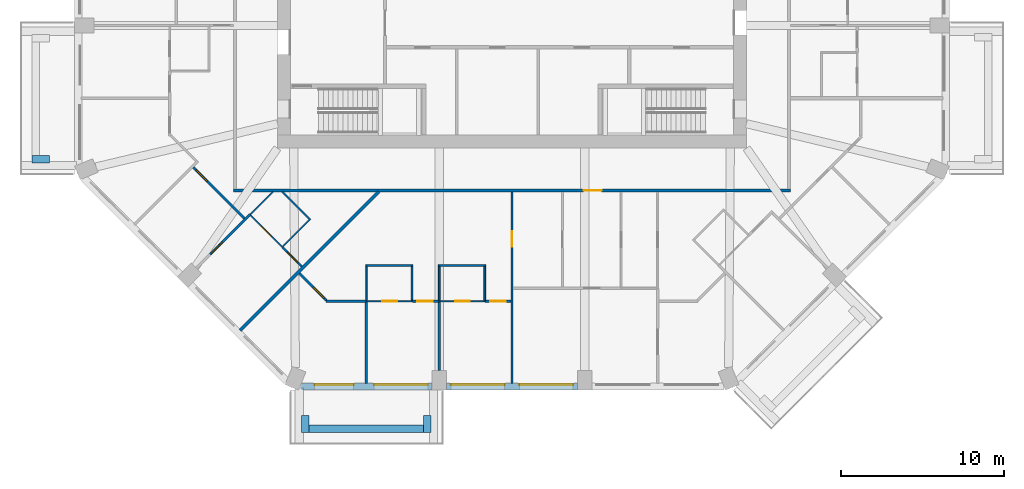
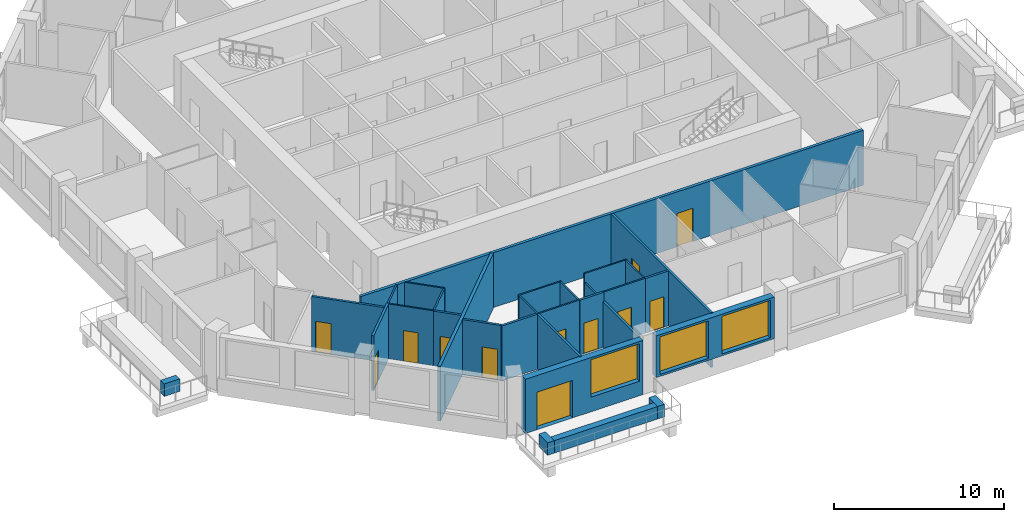
# One storey, part 3 of 12: 30 walls, 12 doors, 3 windows, 15 openings.
"""IFC4 building model written with IfcOpenShell, lengths in metres."""

from ifc_helpers import new_model, si_unit, direction, frame, frame_2d, origin, place, context, subcontext, project, spatial, rectangle, extrude, material, layer, layer_set, type_object, element, fill, save


model = new_model("IFC4")

# Units and contexts
model_context = context("Model", 3, precision=1e-05, world=origin(), true_north=direction((0.0, 1.0)))
body_context = subcontext(model_context, "Body", "Model", "MODEL_VIEW")
ifc_project = project(units=[si_unit("LENGTHUNIT", "METRE"), si_unit("AREAUNIT", "SQUARE_METRE"), si_unit("VOLUMEUNIT", "CUBIC_METRE"), si_unit("PLANEANGLEUNIT", "RADIAN"), si_unit("MASSUNIT", "GRAM", prefix="KILO")], contexts=[model_context])

# Site, building, storey
site_placement = place(None, origin())
site = spatial("IfcSite", under=ifc_project, at=site_placement, CompositionType="ELEMENT")
building_placement = place(site_placement, origin())
building = spatial("IfcBuilding", under=site, at=building_placement, Name="Msitu Wima Residences", CompositionType="ELEMENT")
storey_placement = place(building_placement, frame((0.0, 0.0, 127.5)))
storey = spatial("IfcBuildingStorey", under=building, at=storey_placement, Name="L29", CompositionType="ELEMENT", Elevation=127.5)

# Walls
ifc_material_1 = material(Name="Facing brick")
ifc_layer_1 = layer(ifc_material_1, 0.06494140625, Name="Facing brick")
ifc_material_2 = material(Name="Concrete C40/50", Category="concrete")
ifc_layer_2 = layer(ifc_material_2, 0.156005859375, Name="Concrete C40/50")
ifc_material_3 = material(Name="Waterproofing membrane")
ifc_layer_3 = layer(ifc_material_3, 0.00390625, Name="Waterproofing membrane")
ifc_material_4 = material(Name="Planting soil and planting")
ifc_layer_4 = layer(ifc_material_4, 0.22509765625, Name="Planting soil and planting")
ifc_layer_set_1 = layer_set([ifc_layer_1, ifc_layer_2, ifc_layer_3, ifc_layer_4], Name="Concrete C40/50")
wall_type_1 = type_object("IfcWallType", Name="Balcony planter PLANTER PL450", PredefinedType="USERDEFINED", material=ifc_layer_set_1)
wall_1_placement = place(storey_placement, frame((-28.39990234375, -12.680908203125, 0.0), z_axis=(0.0, 0.0, 1.0), x_axis=(-1.0, 0.0, 0.0)))
element("IfcWall", 1, at=wall_1_placement, inside=storey, type_object=wall_type_1, Name="Balcony planter W2 L29", ObjectType="PLANTER", PredefinedType="USERDEFINED", context=body_context, shape_type="SweptSolid", body=[
    extrude(rectangle(XDim=1.050048828125, YDim=0.449951171875, at=frame_2d((0.52490234375, 0.0))), origin(), (0.0, 0.0, 1.0), 0.89990234375),
])
wall_2_placement = place(storey_placement, frame((-12.455810546875, -29.22509765625, 0.0), z_axis=(0.0, 0.0, 1.0), x_axis=(1.0, 0.0, 0.0)))
element("IfcWall", 2, at=wall_2_placement, inside=storey, type_object=wall_type_1, Name="Balcony planter S0 L29", ObjectType="PLANTER", PredefinedType="USERDEFINED", context=body_context, shape_type="SweptSolid", body=[
    extrude(rectangle(XDim=7.037109375, YDim=0.449951171875, at=frame_2d((3.5185546875, 0.0))), origin(), (0.0, 0.0, 1.0), 0.89990234375),
])
for number, where, z_axis, x_axis, name in (
    (3, (-12.680908203125, -28.39990234375, 0.0), (0.0, 0.0, 1.0), (0.0, -1.0, 0.0), "Balcony planter S0 L29"),
    (4, (-5.193603515625, -28.39990234375, 0.0), (0.0, 0.0, 1.0), (0.0, -1.0, 0.0), "Balcony planter S0 L29"),
):
    element("IfcWall", number, at=place(storey_placement, frame(where, z_axis=z_axis, x_axis=x_axis)), inside=storey, type_object=wall_type_1, Name=name, ObjectType="PLANTER", PredefinedType="USERDEFINED", context=body_context, shape_type="SweptSolid", body=[
        extrude(rectangle(XDim=1.050048828125, YDim=0.449951171875, at=frame_2d((0.52490234375, 0.0))), origin(), (0.0, 0.0, 1.0), 0.89990234375),
    ])

# Wall, openings, door, window
ifc_material_5 = material(Name="Brick (red buff mix)", Category="masonry")
ifc_layer_5 = layer(ifc_material_5, 0.449951171875)
ifc_layer_set_2 = layer_set([ifc_layer_5], Name="Brick (red buff mix)")
wall_type_2 = type_object("IfcWallType", Name="Brick infill wall BW450", PredefinedType="SOLIDWALL", material=ifc_layer_set_2)
wall_3_placement = place(storey_placement, frame((-12.918701171875, -26.625, 0.0), z_axis=(0.0, 0.0, 1.0), x_axis=(1.0, 0.0, 0.0)))
wall_3 = element("IfcWall", 5, at=wall_3_placement, inside=storey, type_object=wall_type_2, Name="Brick infill wall L29 S0", PredefinedType="SOLIDWALL", context=body_context, shape_type="SweptSolid", body=[
    extrude(rectangle(XDim=8.0, YDim=0.449951171875, at=frame_2d((4.0, 0.0))), origin(), (0.0, 0.0, 1.0), 3.89990234375),
])
opening_1_placement = place(wall_3_placement, frame((0.800048828125, 0.0, 0.0)))
opening_1 = element("IfcOpeningElement", 6, at=opening_1_placement, cuts=wall_3, Name="Opening D27-29.005", PredefinedType="OPENING", context=body_context, shape_type="SweptSolid", body=[
    extrude(rectangle(XDim=2.39990234375, YDim=2.699951171875, at=frame_2d((1.199951171875, 1.35009765625))), frame((0.0, 0.23486328125, 0.0), z_axis=(0.0, -1.0, 0.0), x_axis=(1.0, 0.0, 0.0)), (0.0, 0.0, 1.0), 0.469970703125),
])
opening_2_placement = place(wall_3_placement, frame((4.4501953125, 0.0, 1.050048828125)))
opening_2 = element("IfcOpeningElement", 7, at=opening_2_placement, cuts=wall_3, Name="Opening W27-29.017", PredefinedType="OPENING", context=body_context, shape_type="SweptSolid", body=[
    extrude(rectangle(XDim=3.300048828125, YDim=2.699951171875, at=frame_2d((1.64990234375, 1.35009765625))), frame((0.0, 0.23486328125, 0.0), z_axis=(0.0, -1.0, 0.0), x_axis=(1.0, 0.0, 0.0)), (0.0, 0.0, 1.0), 0.469970703125),
])
ifc_material_6 = material(Name="Anodised aluminium, bronze finish, clear low-emissivity double glazing", Category="aluminium")
door_type_1 = type_object("IfcDoorType", Name="Balcony door D2400x2700", OperationType="SLIDING_TO_LEFT", PredefinedType="DOOR", material=ifc_material_6)
door_1_placement = place(opening_1_placement, origin())
door_1 = element("IfcDoor", 8, at=door_1_placement, inside=storey, type_object=door_type_1, Name="Balcony door L29 S0", OperationType="SINGLE_SWING_LEFT", OverallHeight=2.699951171875, OverallWidth=2.39990234375, PredefinedType="DOOR", context=body_context, shape_type="SweptSolid", body=[
    extrude(rectangle(XDim=2.39990234375, YDim=2.699951171875, at=frame_2d((1.199951171875, 1.35009765625))), frame((0.0, 0.1298828125, 0.0), z_axis=(0.0, -1.0, 0.0), x_axis=(1.0, 0.0, 0.0)), (0.0, 0.0, 1.0), 0.050048828125),
])
fill(opening_1, door_1)
window_type = type_object("IfcWindowType", Name="Window W3300x2700", PartitioningType="DOUBLE_PANEL_VERTICAL", PredefinedType="WINDOW", material=ifc_material_6)
window_1_placement = place(opening_2_placement, origin())
window_1 = element("IfcWindow", 9, at=window_1_placement, inside=storey, type_object=window_type, Name="Window L29 S0.2", OverallHeight=2.699951171875, OverallWidth=3.300048828125, PartitioningType="SINGLE_PANEL", PredefinedType="WINDOW", context=body_context, shape_type="SweptSolid", body=[
    extrude(rectangle(XDim=3.300048828125, YDim=2.699951171875, at=frame_2d((1.64990234375, 1.35009765625))), frame((0.0, 0.135009765625, 0.0), z_axis=(0.0, -1.0, 0.0), x_axis=(1.0, 0.0, 0.0)), (0.0, 0.0, 1.0), 0.06005859375),
])
fill(opening_2, window_1)

# Wall, openings, windows
wall_4_placement = place(storey_placement, frame((-4.0185546875, -26.625, 0.89990234375), z_axis=(0.0, 0.0, 1.0), x_axis=(1.0, 0.0, 0.0)))
wall_4 = element("IfcWall", 10, at=wall_4_placement, inside=storey, type_object=wall_type_2, Name="Brick infill wall L29 S1", PredefinedType="SOLIDWALL", context=body_context, shape_type="SweptSolid", body=[
    extrude(rectangle(XDim=8.037109375, YDim=0.449951171875, at=frame_2d((4.0185546875, 0.0))), origin(), (0.0, 0.0, 1.0), 3.0),
])
opening_3_placement = place(wall_4_placement, frame((0.2685546875, 0.0, 0.14990234375)))
opening_3 = element("IfcOpeningElement", 11, at=opening_3_placement, cuts=wall_4, Name="Opening W27-29.018", PredefinedType="OPENING", context=body_context, shape_type="SweptSolid", body=[
    extrude(rectangle(XDim=3.300048828125, YDim=2.699951171875, at=frame_2d((1.64990234375, 1.35009765625))), frame((0.0, 0.23486328125, 0.0), z_axis=(0.0, -1.0, 0.0), x_axis=(1.0, 0.0, 0.0)), (0.0, 0.0, 1.0), 0.469970703125),
])
opening_4_placement = place(wall_4_placement, frame((4.46875, 0.0, 0.14990234375)))
opening_4 = element("IfcOpeningElement", 12, at=opening_4_placement, cuts=wall_4, Name="Opening W27-29.019", PredefinedType="OPENING", context=body_context, shape_type="SweptSolid", body=[
    extrude(rectangle(XDim=3.300048828125, YDim=2.699951171875, at=frame_2d((1.64990234375, 1.35009765625))), frame((0.0, 0.23486328125, 0.0), z_axis=(0.0, -1.0, 0.0), x_axis=(1.0, 0.0, 0.0)), (0.0, 0.0, 1.0), 0.469970703125),
])
window_2_placement = place(opening_3_placement, origin())
window_2 = element("IfcWindow", 13, at=window_2_placement, inside=storey, type_object=window_type, Name="Window L29 S1.1", OverallHeight=2.699951171875, OverallWidth=3.300048828125, PartitioningType="SINGLE_PANEL", PredefinedType="WINDOW", context=body_context, shape_type="SweptSolid", body=[
    extrude(rectangle(XDim=3.300048828125, YDim=2.699951171875, at=frame_2d((1.64990234375, 1.35009765625))), frame((0.0, 0.135009765625, 0.0), z_axis=(0.0, -1.0, 0.0), x_axis=(1.0, 0.0, 0.0)), (0.0, 0.0, 1.0), 0.06005859375),
])
fill(opening_3, window_2)
window_3_placement = place(opening_4_placement, origin())
window_3 = element("IfcWindow", 14, at=window_3_placement, inside=storey, type_object=window_type, Name="Window L29 S1.2", OverallHeight=2.699951171875, OverallWidth=3.300048828125, PartitioningType="SINGLE_PANEL", PredefinedType="WINDOW", context=body_context, shape_type="SweptSolid", body=[
    extrude(rectangle(XDim=3.300048828125, YDim=2.699951171875, at=frame_2d((1.64990234375, 1.35009765625))), frame((0.0, 0.135009765625, 0.0), z_axis=(0.0, -1.0, 0.0), x_axis=(1.0, 0.0, 0.0)), (0.0, 0.0, 1.0), 0.06005859375),
])
fill(opening_4, window_3)

# Wall, opening, door
ifc_material_7 = material(Name="Plaster")
ifc_layer_6 = layer(ifc_material_7, 0.011962890625, Name="Plaster")
ifc_material_8 = material(Name="Concrete blockwork", Category="masonry")
ifc_layer_7 = layer(ifc_material_8, 0.176025390625, Name="Concrete blockwork")
ifc_layer_8 = layer(ifc_material_7, 0.011962890625, Name="Plaster")
ifc_layer_set_3 = layer_set([ifc_layer_6, ifc_layer_7, ifc_layer_8], Name="Concrete blockwork")
wall_type_3 = type_object("IfcWallType", Name="Corridor wall FW200", PredefinedType="PARTITIONING", material=ifc_layer_set_3)
wall_5_placement = place(storey_placement, frame((-17.10009765625, -14.60009765625, 0.0), z_axis=(0.0, 0.0, 1.0), x_axis=(1.0, 0.0, 0.0)))
wall_5 = element("IfcWall", 15, at=wall_5_placement, inside=storey, type_object=wall_type_3, Name="Corridor wall", PredefinedType="PARTITIONING", context=body_context, shape_type="SweptSolid", body=[
    extrude(rectangle(XDim=34.2001953125, YDim=0.199951171875, at=frame_2d((17.10009765625, 0.0))), origin(), (0.0, 0.0, 1.0), 3.949951171875),
])
opening_5_placement = place(wall_5_placement, frame((21.5, 0.0, 0.0)))
opening_5 = element("IfcOpeningElement", 16, at=opening_5_placement, cuts=wall_5, Name="Opening D27-29.010", PredefinedType="OPENING", context=body_context, shape_type="SweptSolid", body=[
    extrude(rectangle(XDim=1.10009765625, YDim=2.39990234375, at=frame_2d((0.550048828125, 1.199951171875))), frame((0.0, 0.10986328125, 0.0), z_axis=(0.0, -1.0, 0.0), x_axis=(1.0, 0.0, 0.0)), (0.0, 0.0, 1.0), 0.219970703125),
])
ifc_material_9 = material(Name="Timber flush door, fire resisting, self-closing", Category="wood")
door_type_2 = type_object("IfcDoorType", Name="Flat entrance door D01 1100x2400", OperationType="SINGLE_SWING_LEFT", PredefinedType="DOOR", material=ifc_material_9)
door_2_placement = place(opening_5_placement, origin())
door_2 = element("IfcDoor", 17, at=door_2_placement, inside=storey, type_object=door_type_2, Name="Flat entrance door", OperationType="SINGLE_SWING_LEFT", OverallHeight=2.39990234375, OverallWidth=1.10009765625, PredefinedType="DOOR", context=body_context, shape_type="SweptSolid", body=[
    extrude(rectangle(XDim=1.10009765625, YDim=2.39990234375, at=frame_2d((0.550048828125, 1.199951171875))), frame((0.0, 0.02490234375, 0.0), z_axis=(0.0, -1.0, 0.0), x_axis=(1.0, 0.0, 0.0)), (0.0, 0.0, 1.0), 0.050048828125),
])
fill(opening_5, door_2)

ifc_layer_9 = layer(ifc_material_7, 0.011962890625, Name="Plaster")
ifc_layer_10 = layer(ifc_material_8, 0.1259765625, Name="Concrete blockwork")
ifc_layer_11 = layer(ifc_material_7, 0.011962890625, Name="Plaster")
ifc_layer_set_4 = layer_set([ifc_layer_9, ifc_layer_10, ifc_layer_11], Name="Concrete blockwork")
wall_type_4 = type_object("IfcWallType", Name="Partition PW150", PredefinedType="PARTITIONING", material=ifc_layer_set_4)
wall_6_placement = place(storey_placement, frame((-18.517578125, -18.517578125, 0.0), z_axis=(0.0, 0.0, 1.0), x_axis=(0.707106781187, 0.707106781187, 0.0)))
wall_6 = element("IfcWall", 18, at=wall_6_placement, inside=storey, type_object=wall_type_4, Name="Partition", PredefinedType="PARTITIONING", context=body_context, shape_type="SweptSolid", body=[
    extrude(rectangle(XDim=3.4609375, YDim=0.14990234375, at=frame_2d((1.73046875, 0.0))), origin(), (0.0, 0.0, 1.0), 3.949951171875),
])
opening_6_placement = place(wall_6_placement, frame((0.0908203125, 0.0, 0.0)))
opening_6 = element("IfcOpeningElement", 19, at=opening_6_placement, cuts=wall_6, Name="Opening D27-29.065", PredefinedType="OPENING", context=body_context, shape_type="SweptSolid", body=[
    extrude(rectangle(XDim=0.949951171875, YDim=2.199951171875, at=frame_2d((0.47509765625, 1.10009765625))), frame((0.0, 0.0849609375, 0.0), z_axis=(0.0, -1.0, 0.0), x_axis=(1.0, 0.0, 0.0)), (0.0, 0.0, 1.0), 0.169921875),
])
ifc_material_10 = material(Name="Timber flush door", Category="wood")
door_type_3 = type_object("IfcDoorType", Name="Room door D12 950x2200", OperationType="SINGLE_SWING_LEFT", PredefinedType="DOOR", material=ifc_material_10)
door_3_placement = place(opening_6_placement, origin())
door_3 = element("IfcDoor", 20, at=door_3_placement, inside=storey, type_object=door_type_3, Name="Room door", OperationType="SINGLE_SWING_RIGHT", OverallHeight=2.199951171875, OverallWidth=0.949951171875, PredefinedType="DOOR", context=body_context, shape_type="SweptSolid", body=[
    extrude(rectangle(XDim=0.949951171875, YDim=2.199951171875, at=frame_2d((0.47509765625, 1.10009765625))), frame((0.0, 0.02490234375, 0.0), z_axis=(0.0, -1.0, 0.0), x_axis=(1.0, 0.0, 0.0)), (0.0, 0.0, 1.0), 0.050048828125),
])
fill(opening_6, door_3)

wall_7_placement = place(storey_placement, frame((-19.56298828125, -13.171875, 0.0), z_axis=(0.0, 0.0, 1.0), x_axis=(0.707106781187, -0.707106781187, 0.0)))
wall_7 = element("IfcWall", 21, at=wall_7_placement, inside=storey, type_object=wall_type_4, Name="Partition", PredefinedType="PARTITIONING", context=body_context, shape_type="SweptSolid", body=[
    extrude(rectangle(XDim=4.4443359375, YDim=0.14990234375, at=frame_2d((2.22216796875, 0.0))), origin(), (0.0, 0.0, 1.0), 3.949951171875),
])
opening_7_placement = place(wall_7_placement, frame((0.25, 0.0, 0.0)))
opening_7 = element("IfcOpeningElement", 22, at=opening_7_placement, cuts=wall_7, Name="Opening D27-29.062", PredefinedType="OPENING", context=body_context, shape_type="SweptSolid", body=[
    extrude(rectangle(XDim=0.949951171875, YDim=2.199951171875, at=frame_2d((0.47509765625, 1.10009765625))), frame((0.0, 0.0849609375, 0.0), z_axis=(0.0, -1.0, 0.0), x_axis=(1.0, 0.0, 0.0)), (0.0, 0.0, 1.0), 0.169921875),
])
door_4_placement = place(opening_7_placement, origin())
door_4 = element("IfcDoor", 23, at=door_4_placement, inside=storey, type_object=door_type_3, Name="Room door", OperationType="SINGLE_SWING_RIGHT", OverallHeight=2.199951171875, OverallWidth=0.949951171875, PredefinedType="DOOR", context=body_context, shape_type="SweptSolid", body=[
    extrude(rectangle(XDim=0.949951171875, YDim=2.199951171875, at=frame_2d((0.47509765625, 1.10009765625))), frame((0.0, 0.02490234375, 0.0), z_axis=(0.0, -1.0, 0.0), x_axis=(1.0, 0.0, 0.0)), (0.0, 0.0, 1.0), 0.050048828125),
])
fill(opening_7, door_4)

wall_8_placement = place(storey_placement, frame((-14.090576171875, -18.07861328125, 0.0), z_axis=(0.0, 0.0, 1.0), x_axis=(0.707106781187, -0.707106781187, 0.0)))
wall_8 = element("IfcWall", 24, at=wall_8_placement, inside=storey, type_object=wall_type_4, Name="Partition", PredefinedType="PARTITIONING", context=body_context, shape_type="SweptSolid", body=[
    extrude(rectangle(XDim=1.67431640625, YDim=0.14990234375, at=frame_2d((0.837158203125, 0.0))), origin(), (0.0, 0.0, 1.0), 3.949951171875),
])
opening_8_placement = place(wall_8_placement, frame((0.39990234375, 0.0, 0.0)))
opening_8 = element("IfcOpeningElement", 25, at=opening_8_placement, cuts=wall_8, Name="Opening D27-29.067", PredefinedType="OPENING", context=body_context, shape_type="SweptSolid", body=[
    extrude(rectangle(XDim=0.949951171875, YDim=2.199951171875, at=frame_2d((0.47509765625, 1.10009765625))), frame((0.0, 0.0849609375, 0.0), z_axis=(0.0, -1.0, 0.0), x_axis=(1.0, 0.0, 0.0)), (0.0, 0.0, 1.0), 0.169921875),
])
door_5_placement = place(opening_8_placement, origin())
door_5 = element("IfcDoor", 26, at=door_5_placement, inside=storey, type_object=door_type_3, Name="Room door", OperationType="SINGLE_SWING_LEFT", OverallHeight=2.199951171875, OverallWidth=0.949951171875, PredefinedType="DOOR", context=body_context, shape_type="SweptSolid", body=[
    extrude(rectangle(XDim=0.949951171875, YDim=2.199951171875, at=frame_2d((0.47509765625, 1.10009765625))), frame((0.0, 0.02490234375, 0.0), z_axis=(0.0, -1.0, 0.0), x_axis=(1.0, 0.0, 0.0)), (0.0, 0.0, 1.0), 0.050048828125),
])
fill(opening_8, door_5)

wall_9_placement = place(storey_placement, frame((-13.048095703125, -19.686767578125, 0.0), z_axis=(0.0, 0.0, 1.0), x_axis=(0.707106781187, -0.707106781187, 0.0)))
wall_9 = element("IfcWall", 27, at=wall_9_placement, inside=storey, type_object=wall_type_4, Name="Partition", PredefinedType="PARTITIONING", context=body_context, shape_type="SweptSolid", body=[
    extrude(rectangle(XDim=2.347900390625, YDim=0.14990234375, at=frame_2d((1.173828125, 0.0))), origin(), (0.0, 0.0, 1.0), 3.949951171875),
])
opening_9_placement = place(wall_9_placement, frame((1.199951171875, 0.0, 0.0)))
opening_9 = element("IfcOpeningElement", 28, at=opening_9_placement, cuts=wall_9, Name="Opening D27-29.084", PredefinedType="OPENING", context=body_context, shape_type="SweptSolid", body=[
    extrude(rectangle(XDim=0.949951171875, YDim=2.199951171875, at=frame_2d((0.47509765625, 1.10009765625))), frame((0.0, 0.0849609375, 0.0), z_axis=(0.0, -1.0, 0.0), x_axis=(1.0, 0.0, 0.0)), (0.0, 0.0, 1.0), 0.169921875),
])
door_6_placement = place(opening_9_placement, origin())
door_6 = element("IfcDoor", 29, at=door_6_placement, inside=storey, type_object=door_type_3, Name="Room door", OperationType="SINGLE_SWING_RIGHT", OverallHeight=2.199951171875, OverallWidth=0.949951171875, PredefinedType="DOOR", context=body_context, shape_type="SweptSolid", body=[
    extrude(rectangle(XDim=0.949951171875, YDim=2.199951171875, at=frame_2d((0.47509765625, 1.10009765625))), frame((0.0, 0.02490234375, 0.0), z_axis=(0.0, -1.0, 0.0), x_axis=(1.0, 0.0, 0.0)), (0.0, 0.0, 1.0), 0.050048828125),
])
fill(opening_9, door_6)

# Walls
wall_10_placement = place(storey_placement, frame((-11.409912109375, -21.39990234375, 0.0), z_axis=(0.0, 0.0, 1.0), x_axis=(1.0, 0.0, 0.0)))
element("IfcWall", 30, at=wall_10_placement, inside=storey, type_object=wall_type_4, Name="Partition", PredefinedType="PARTITIONING", context=body_context, shape_type="SweptSolid", body=[
    extrude(rectangle(XDim=2.45263671875, YDim=0.14990234375, at=frame_2d((1.226318359375, 0.0))), origin(), (0.0, 0.0, 1.0), 3.949951171875),
])
wall_11_placement = place(storey_placement, frame((-8.937255859375, -26.455078125, 0.0), z_axis=(0.0, 0.0, 1.0), x_axis=(0.0, 1.0, 0.0)))
element("IfcWall", 31, at=wall_11_placement, inside=storey, type_object=wall_type_4, Name="Partition", PredefinedType="PARTITIONING", context=body_context, shape_type="SweptSolid", body=[
    extrude(rectangle(XDim=5.0751953125, YDim=0.14990234375, at=frame_2d((2.53759765625, 0.0))), origin(), (0.0, 0.0, 1.0), 3.949951171875),
])

# Wall, opening, door
wall_12_placement = place(storey_placement, frame((-6.1171875, -21.39990234375, 0.0), z_axis=(0.0, 0.0, 1.0), x_axis=(1.0, 0.0, 0.0)))
wall_12 = element("IfcWall", 32, at=wall_12_placement, inside=storey, type_object=wall_type_4, Name="Partition", PredefinedType="PARTITIONING", context=body_context, shape_type="SweptSolid", body=[
    extrude(rectangle(XDim=1.628662109375, YDim=0.14990234375, at=frame_2d((0.814453125, 0.0))), origin(), (0.0, 0.0, 1.0), 3.949951171875),
])
opening_10_placement = place(wall_12_placement, frame((0.300048828125, 0.0, 0.0)))
opening_10 = element("IfcOpeningElement", 33, at=opening_10_placement, cuts=wall_12, Name="Opening D27-29.079", PredefinedType="OPENING", context=body_context, shape_type="SweptSolid", body=[
    extrude(rectangle(XDim=0.949951171875, YDim=2.199951171875, at=frame_2d((0.47509765625, 1.10009765625))), frame((0.0, 0.0849609375, 0.0), z_axis=(0.0, -1.0, 0.0), x_axis=(1.0, 0.0, 0.0)), (0.0, 0.0, 1.0), 0.169921875),
])
door_7_placement = place(opening_10_placement, origin())
door_7 = element("IfcDoor", 34, at=door_7_placement, inside=storey, type_object=door_type_3, Name="Room door", OperationType="SINGLE_SWING_LEFT", OverallHeight=2.199951171875, OverallWidth=0.949951171875, PredefinedType="DOOR", context=body_context, shape_type="SweptSolid", body=[
    extrude(rectangle(XDim=0.949951171875, YDim=2.199951171875, at=frame_2d((0.47509765625, 1.10009765625))), frame((0.0, 0.02490234375, 0.0), z_axis=(0.0, -1.0, 0.0), x_axis=(1.0, 0.0, 0.0)), (0.0, 0.0, 1.0), 0.050048828125),
])
fill(opening_10, door_7)

# Wall
wall_13_placement = place(storey_placement, frame((-4.46875, -25.64990234375, 0.0), z_axis=(0.0, 0.0, 1.0), x_axis=(0.0, 1.0, 0.0)))
element("IfcWall", 35, at=wall_13_placement, inside=storey, type_object=wall_type_4, Name="Partition", PredefinedType="PARTITIONING", context=body_context, shape_type="SweptSolid", body=[
    extrude(rectangle(XDim=4.27001953125, YDim=0.14990234375, at=frame_2d((2.135009765625, 0.0))), origin(), (0.0, 0.0, 1.0), 3.300048828125),
])

# Wall, opening, door
wall_14_placement = place(storey_placement, frame((-1.648681640625, -21.39990234375, 0.0), z_axis=(0.0, 0.0, 1.0), x_axis=(1.0, 0.0, 0.0)))
wall_14 = element("IfcWall", 36, at=wall_14_placement, inside=storey, type_object=wall_type_4, Name="Partition", PredefinedType="PARTITIONING", context=body_context, shape_type="SweptSolid", body=[
    extrude(rectangle(XDim=1.57373046875, YDim=0.14990234375, at=frame_2d((0.786865234375, 0.0))), origin(), (0.0, 0.0, 1.0), 3.949951171875),
])
opening_11_placement = place(wall_14_placement, frame((0.300048828125, 0.0, 0.0)))
opening_11 = element("IfcOpeningElement", 37, at=opening_11_placement, cuts=wall_14, Name="Opening D27-29.082", PredefinedType="OPENING", context=body_context, shape_type="SweptSolid", body=[
    extrude(rectangle(XDim=0.949951171875, YDim=2.199951171875, at=frame_2d((0.47509765625, 1.10009765625))), frame((0.0, 0.0849609375, 0.0), z_axis=(0.0, -1.0, 0.0), x_axis=(1.0, 0.0, 0.0)), (0.0, 0.0, 1.0), 0.169921875),
])
door_8_placement = place(opening_11_placement, origin())
door_8 = element("IfcDoor", 38, at=door_8_placement, inside=storey, type_object=door_type_3, Name="Room door", OperationType="SINGLE_SWING_LEFT", OverallHeight=2.199951171875, OverallWidth=0.949951171875, PredefinedType="DOOR", context=body_context, shape_type="SweptSolid", body=[
    extrude(rectangle(XDim=0.949951171875, YDim=2.199951171875, at=frame_2d((0.47509765625, 1.10009765625))), frame((0.0, 0.02490234375, 0.0), z_axis=(0.0, -1.0, 0.0), x_axis=(1.0, 0.0, 0.0)), (0.0, 0.0, 1.0), 0.050048828125),
])
fill(opening_11, door_8)

wall_15_placement = place(storey_placement, frame((0.0, -26.455078125, 0.0), z_axis=(0.0, 0.0, 1.0), x_axis=(0.0, 1.0, 0.0)))
wall_15 = element("IfcWall", 39, at=wall_15_placement, inside=storey, type_object=wall_type_4, Name="Partition", PredefinedType="PARTITIONING", context=body_context, shape_type="SweptSolid", body=[
    extrude(rectangle(XDim=11.755126953125, YDim=0.14990234375, at=frame_2d((5.87744140625, 0.0))), origin(), (0.0, 0.0, 1.0), 3.949951171875),
])
opening_12_placement = place(wall_15_placement, frame((8.39990234375, 0.0, 0.0)))
opening_12 = element("IfcOpeningElement", 40, at=opening_12_placement, cuts=wall_15, Name="Opening D27-29.078", PredefinedType="OPENING", context=body_context, shape_type="SweptSolid", body=[
    extrude(rectangle(XDim=0.949951171875, YDim=2.199951171875, at=frame_2d((0.47509765625, 1.10009765625))), frame((0.0, 0.0849609375, 0.0), z_axis=(0.0, -1.0, 0.0), x_axis=(1.0, 0.0, 0.0)), (0.0, 0.0, 1.0), 0.169921875),
])
door_9_placement = place(opening_12_placement, origin())
door_9 = element("IfcDoor", 41, at=door_9_placement, inside=storey, type_object=door_type_3, Name="Room door", OperationType="SINGLE_SWING_LEFT", OverallHeight=2.199951171875, OverallWidth=0.949951171875, PredefinedType="DOOR", context=body_context, shape_type="SweptSolid", body=[
    extrude(rectangle(XDim=0.949951171875, YDim=2.199951171875, at=frame_2d((0.47509765625, 1.10009765625))), frame((0.0, 0.02490234375, 0.0), z_axis=(0.0, -1.0, 0.0), x_axis=(1.0, 0.0, 0.0)), (0.0, 0.0, 1.0), 0.050048828125),
])
fill(opening_12, door_9)

# Walls
ifc_layer_12 = layer(ifc_material_7, 0.011962890625, Name="Plaster")
ifc_material_11 = material(Name="Dense concrete blockwork", Category="masonry")
ifc_layer_13 = layer(ifc_material_11, 0.176025390625, Name="Dense concrete blockwork")
ifc_layer_14 = layer(ifc_material_7, 0.011962890625, Name="Plaster")
ifc_layer_set_5 = layer_set([ifc_layer_12, ifc_layer_13, ifc_layer_14], Name="Dense concrete blockwork")
wall_type_5 = type_object("IfcWallType", Name="Party wall PW200", PredefinedType="PARTITIONING", material=ifc_layer_set_5)
wall_16_placement = place(storey_placement, frame((-16.693359375, -23.1904296875, 0.0), z_axis=(0.0, 0.0, 1.0), x_axis=(0.707106781187, 0.707106781187, 0.0)))
element("IfcWall", 42, at=wall_16_placement, inside=storey, type_object=wall_type_5, Name="Party wall", PredefinedType="PARTITIONING", context=body_context, shape_type="SweptSolid", body=[
    extrude(rectangle(XDim=12.048828125, YDim=0.199951171875, at=frame_2d((6.0244140625, 0.0))), origin(), (0.0, 0.0, 1.0), 3.949951171875),
])
ifc_material_12 = material(Name="Ceramic tiles")
ifc_layer_15 = layer(ifc_material_12, 0.008056640625, Name="Ceramic tiles")
ifc_material_13 = material(Name="Moisture-resistant board")
ifc_layer_16 = layer(ifc_material_13, 0.012451171875, Name="Moisture-resistant board")
ifc_material_14 = material(Name="Light-gauge stud framing with mineral wool")
ifc_layer_17 = layer(ifc_material_14, 0.06689453125, Name="Light-gauge stud framing with mineral wool")
ifc_layer_18 = layer(ifc_material_13, 0.012451171875, Name="Moisture-resistant board")
ifc_layer_set_6 = layer_set([ifc_layer_15, ifc_layer_16, ifc_layer_17, ifc_layer_18], Name="Light-gauge stud framing with mineral wool")
wall_type_6 = type_object("IfcWallType", Name="Wet wall PW100", PredefinedType="PARTITIONING", material=ifc_layer_set_6)
wall_17_placement = place(storey_placement, frame((-16.0703125, -16.0703125, 0.0), z_axis=(0.0, 0.0, 1.0), x_axis=(0.707106781187, 0.707106781187, 0.0)))
element("IfcWall", 43, at=wall_17_placement, inside=storey, type_object=wall_type_6, Name="Wet wall", PredefinedType="PARTITIONING", context=body_context, shape_type="SweptSolid", body=[
    extrude(rectangle(XDim=1.9794921875, YDim=0.10009765625, at=frame_2d((0.98974609375, 0.0))), origin(), (0.0, 0.0, 1.0), 3.949951171875),
])

# Wall, opening, door
wall_18_placement = place(storey_placement, frame((-16.031494140625, -16.1376953125, 0.0), z_axis=(0.0, 0.0, 1.0), x_axis=(0.707106781187, -0.707106781187, 0.0)))
wall_18 = element("IfcWall", 44, at=wall_18_placement, inside=storey, type_object=wall_type_6, Name="Wet wall", PredefinedType="PARTITIONING", context=body_context, shape_type="SweptSolid", body=[
    extrude(rectangle(XDim=2.744873046875, YDim=0.10009765625, at=frame_2d((1.37255859375, 0.0))), origin(), (0.0, 0.0, 1.0), 3.949951171875),
])
opening_13_placement = place(wall_18_placement, frame((0.89990234375, 0.0, 0.0)))
opening_13 = element("IfcOpeningElement", 45, at=opening_13_placement, cuts=wall_18, Name="Opening D27-29.066", PredefinedType="OPENING", context=body_context, shape_type="SweptSolid", body=[
    extrude(rectangle(XDim=0.89990234375, YDim=2.199951171875, at=frame_2d((0.449951171875, 1.10009765625))), frame((0.0, 0.06005859375, 0.0), z_axis=(0.0, -1.0, 0.0), x_axis=(1.0, 0.0, 0.0)), (0.0, 0.0, 1.0), 0.1201171875),
])
ifc_material_15 = material(Name="Timber flush door, moisture resistant", Category="wood")
door_type_4 = type_object("IfcDoorType", Name="Bathroom door D03 900x2200", OperationType="SINGLE_SWING_LEFT", PredefinedType="DOOR", material=ifc_material_15)
door_10_placement = place(opening_13_placement, origin())
door_10 = element("IfcDoor", 46, at=door_10_placement, inside=storey, type_object=door_type_4, Name="Bathroom door", OperationType="SINGLE_SWING_RIGHT", OverallHeight=2.199951171875, OverallWidth=0.89990234375, PredefinedType="DOOR", context=body_context, shape_type="SweptSolid", body=[
    extrude(rectangle(XDim=0.89990234375, YDim=2.199951171875, at=frame_2d((0.449951171875, 1.10009765625))), frame((0.0, 0.02490234375, 0.0), z_axis=(0.0, -1.0, 0.0), x_axis=(1.0, 0.0, 0.0)), (0.0, 0.0, 1.0), 0.050048828125),
])
fill(opening_13, door_10)

# Walls
wall_19_placement = place(storey_placement, frame((-14.104248046875, -14.670654296875, 0.0), z_axis=(0.0, 0.0, 1.0), x_axis=(0.707056944574, -0.707156614287, 0.0)))
element("IfcWall", 47, at=wall_19_placement, inside=storey, type_object=wall_type_6, Name="Wet wall", PredefinedType="PARTITIONING", context=body_context, shape_type="SweptSolid", body=[
    extrude(rectangle(XDim=2.449462890625, YDim=0.10009765625, at=frame_2d((1.224609375, 0.0))), origin(), (0.0, 0.0, 1.0), 3.949951171875),
])
wall_20_placement = place(storey_placement, frame((-14.051513671875, -18.011474609375, 0.0), z_axis=(0.0, 0.0, 1.0), x_axis=(0.707106781187, 0.707106781187, 0.0)))
element("IfcWall", 48, at=wall_20_placement, inside=storey, type_object=wall_type_6, Name="Wet wall", PredefinedType="PARTITIONING", context=body_context, shape_type="SweptSolid", body=[
    extrude(rectangle(XDim=2.27490234375, YDim=0.10009765625, at=frame_2d((1.137451171875, 0.0))), origin(), (0.0, 0.0, 1.0), 3.949951171875),
])

# Wall, opening, door
wall_21_placement = place(storey_placement, frame((-8.957275390625, -21.39990234375, 0.0), z_axis=(0.0, 0.0, 1.0), x_axis=(1.0, 0.0, 0.0)))
wall_21 = element("IfcWall", 49, at=wall_21_placement, inside=storey, type_object=wall_type_6, Name="Wet wall", PredefinedType="PARTITIONING", context=body_context, shape_type="SweptSolid", body=[
    extrude(rectangle(XDim=2.840087890625, YDim=0.10009765625, at=frame_2d((1.419921875, 0.0))), origin(), (0.0, 0.0, 1.0), 3.949951171875),
])
opening_14_placement = place(wall_21_placement, frame((1.0, 0.0, 0.0)))
opening_14 = element("IfcOpeningElement", 50, at=opening_14_placement, cuts=wall_21, Name="Opening D27-29.080", PredefinedType="OPENING", context=body_context, shape_type="SweptSolid", body=[
    extrude(rectangle(XDim=0.89990234375, YDim=2.199951171875, at=frame_2d((0.449951171875, 1.10009765625))), frame((0.0, 0.06005859375, 0.0), z_axis=(0.0, -1.0, 0.0), x_axis=(1.0, 0.0, 0.0)), (0.0, 0.0, 1.0), 0.1201171875),
])
door_11_placement = place(opening_14_placement, origin())
door_11 = element("IfcDoor", 51, at=door_11_placement, inside=storey, type_object=door_type_4, Name="Bathroom door", OperationType="SINGLE_SWING_RIGHT", OverallHeight=2.199951171875, OverallWidth=0.89990234375, PredefinedType="DOOR", context=body_context, shape_type="SweptSolid", body=[
    extrude(rectangle(XDim=0.89990234375, YDim=2.199951171875, at=frame_2d((0.449951171875, 1.10009765625))), frame((0.0, 0.02490234375, 0.0), z_axis=(0.0, -1.0, 0.0), x_axis=(1.0, 0.0, 0.0)), (0.0, 0.0, 1.0), 0.050048828125),
])
fill(opening_14, door_11)

# Walls
wall_22_placement = place(storey_placement, frame((-8.937255859375, -21.3798828125, 0.0), z_axis=(0.0, 0.0, 1.0), x_axis=(0.0, 1.0, 0.0)))
element("IfcWall", 52, at=wall_22_placement, inside=storey, type_object=wall_type_6, Name="Wet wall", PredefinedType="PARTITIONING", context=body_context, shape_type="SweptSolid", body=[
    extrude(rectangle(XDim=2.1298828125, YDim=0.10009765625, at=frame_2d((1.06494140625, 0.0))), origin(), (0.0, 0.0, 1.0), 3.949951171875),
])
wall_23_placement = place(storey_placement, frame((-8.9873046875, -19.199951171875, 0.0), z_axis=(0.0, 0.0, 1.0), x_axis=(1.0, 0.0, 0.0)))
element("IfcWall", 53, at=wall_23_placement, inside=storey, type_object=wall_type_6, Name="Wet wall", PredefinedType="PARTITIONING", context=body_context, shape_type="SweptSolid", body=[
    extrude(rectangle(XDim=2.900146484375, YDim=0.10009765625, at=frame_2d((1.4501953125, 0.0))), origin(), (0.0, 0.0, 1.0), 3.949951171875),
])
wall_24_placement = place(storey_placement, frame((-6.13720703125, -21.324951171875, 0.0), z_axis=(0.0, 0.0, 1.0), x_axis=(0.0, 1.0, 0.0)))
element("IfcWall", 54, at=wall_24_placement, inside=storey, type_object=wall_type_6, Name="Wet wall", PredefinedType="PARTITIONING", context=body_context, shape_type="SweptSolid", body=[
    extrude(rectangle(XDim=2.074951171875, YDim=0.10009765625, at=frame_2d((1.03759765625, 0.0))), origin(), (0.0, 0.0, 1.0), 3.949951171875),
])

# Wall, opening, door
wall_25_placement = place(storey_placement, frame((-4.488525390625, -21.39990234375, 0.0), z_axis=(0.0, 0.0, 1.0), x_axis=(1.0, 0.0, 0.0)))
wall_25 = element("IfcWall", 55, at=wall_25_placement, inside=storey, type_object=wall_type_6, Name="Wet wall", PredefinedType="PARTITIONING", context=body_context, shape_type="SweptSolid", body=[
    extrude(rectangle(XDim=2.83984375, YDim=0.10009765625, at=frame_2d((1.419921875, 0.0))), origin(), (0.0, 0.0, 1.0), 3.949951171875),
])
opening_15_placement = place(wall_25_placement, frame((1.0, 0.0, 0.0)))
opening_15 = element("IfcOpeningElement", 56, at=opening_15_placement, cuts=wall_25, Name="Opening D27-29.083", PredefinedType="OPENING", context=body_context, shape_type="SweptSolid", body=[
    extrude(rectangle(XDim=0.89990234375, YDim=2.199951171875, at=frame_2d((0.449951171875, 1.10009765625))), frame((0.0, 0.06005859375, 0.0), z_axis=(0.0, -1.0, 0.0), x_axis=(1.0, 0.0, 0.0)), (0.0, 0.0, 1.0), 0.1201171875),
])
door_12_placement = place(opening_15_placement, origin())
door_12 = element("IfcDoor", 57, at=door_12_placement, inside=storey, type_object=door_type_4, Name="Bathroom door", OperationType="SINGLE_SWING_RIGHT", OverallHeight=2.199951171875, OverallWidth=0.89990234375, PredefinedType="DOOR", context=body_context, shape_type="SweptSolid", body=[
    extrude(rectangle(XDim=0.89990234375, YDim=2.199951171875, at=frame_2d((0.449951171875, 1.10009765625))), frame((0.0, 0.02490234375, 0.0), z_axis=(0.0, -1.0, 0.0), x_axis=(1.0, 0.0, 0.0)), (0.0, 0.0, 1.0), 0.050048828125),
])
fill(opening_15, door_12)

# Walls
wall_26_placement = place(storey_placement, frame((-4.46875, -21.3798828125, 0.0), z_axis=(0.0, 0.0, 1.0), x_axis=(0.0, 1.0, 0.0)))
element("IfcWall", 58, at=wall_26_placement, inside=storey, type_object=wall_type_6, Name="Wet wall", PredefinedType="PARTITIONING", context=body_context, shape_type="SweptSolid", body=[
    extrude(rectangle(XDim=2.1298828125, YDim=0.10009765625, at=frame_2d((1.06494140625, 0.0))), origin(), (0.0, 0.0, 1.0), 3.300048828125),
])
wall_27_placement = place(storey_placement, frame((-4.5185546875, -19.199951171875, 0.0), z_axis=(0.0, 0.0, 1.0), x_axis=(1.0, 0.0, 0.0)))
element("IfcWall", 59, at=wall_27_placement, inside=storey, type_object=wall_type_6, Name="Wet wall", PredefinedType="PARTITIONING", context=body_context, shape_type="SweptSolid", body=[
    extrude(rectangle(XDim=2.89990234375, YDim=0.10009765625, at=frame_2d((1.449951171875, 0.0))), origin(), (0.0, 0.0, 1.0), 3.949951171875),
])
wall_28_placement = place(storey_placement, frame((-1.668701171875, -21.35009765625, 0.0), z_axis=(0.0, 0.0, 1.0), x_axis=(0.0, 1.0, 0.0)))
element("IfcWall", 60, at=wall_28_placement, inside=storey, type_object=wall_type_6, Name="Wet wall", PredefinedType="PARTITIONING", context=body_context, shape_type="SweptSolid", body=[
    extrude(rectangle(XDim=2.10009765625, YDim=0.10009765625, at=frame_2d((1.050048828125, 0.0))), origin(), (0.0, 0.0, 1.0), 3.949951171875),
])

save(model, "model.ifc")
